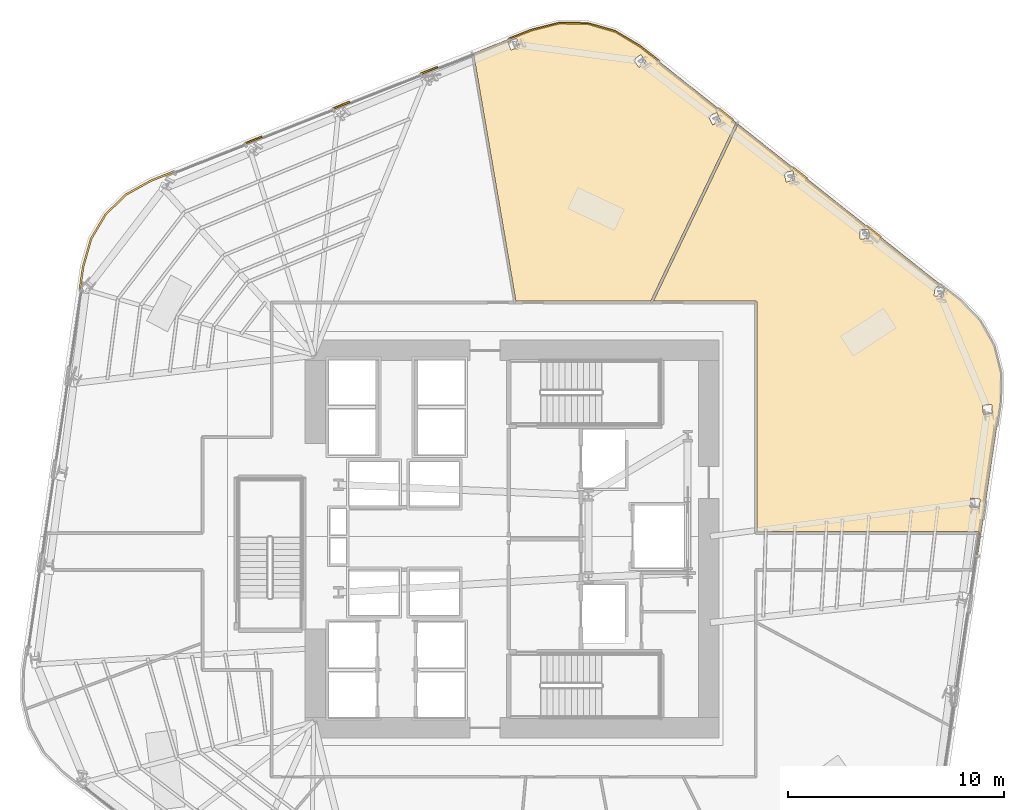
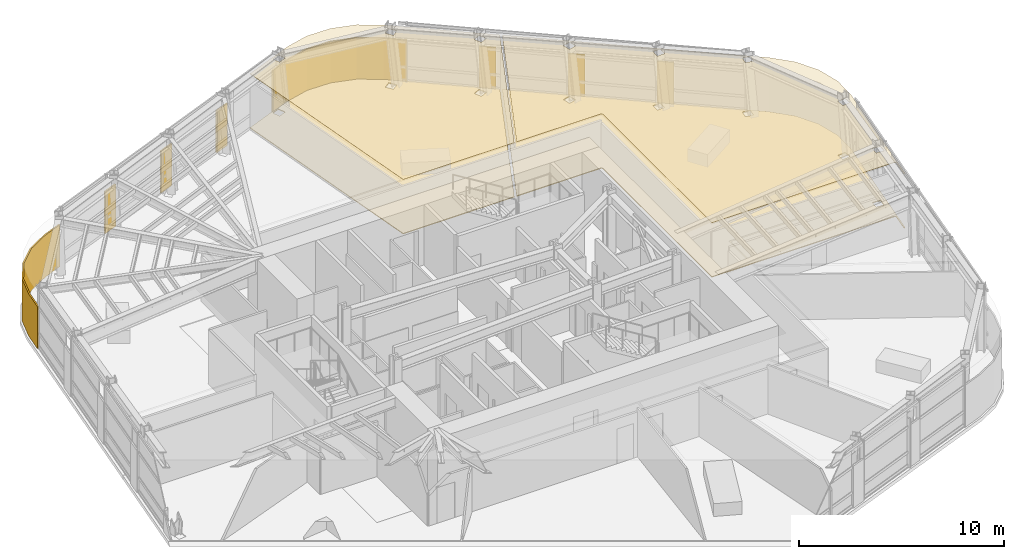
# One storey, part 16 of 17: 12 coverings.
"""IFC4 building model written with IfcOpenShell, lengths in metres."""

from ifc_helpers import new_model, si_unit, direction, frame, origin, place, context, subcontext, project, spatial, polyline, outline, extrude, material, layer, layer_set, type_object, element, save


model = new_model("IFC4")

# Units and contexts
model_context = context("Model", 3, precision=1e-05, world=origin(), true_north=direction((0.0, 1.0)))
body_context = subcontext(model_context, "Body", "Model", "MODEL_VIEW")
ifc_project = project(units=[si_unit("LENGTHUNIT", "METRE"), si_unit("AREAUNIT", "SQUARE_METRE"), si_unit("VOLUMEUNIT", "CUBIC_METRE"), si_unit("PLANEANGLEUNIT", "RADIAN"), si_unit("MASSUNIT", "GRAM", prefix="KILO")], contexts=[model_context])

# Site, building, storey
site_placement = place(None, origin())
site = spatial("IfcSite", under=ifc_project, at=site_placement, CompositionType="ELEMENT")
building_placement = place(site_placement, origin())
building = spatial("IfcBuilding", under=site, at=building_placement, Name="Valkerne Bourse Tower", CompositionType="ELEMENT")
storey_placement = place(building_placement, frame((0.0, 0.0, 116.199951171875)))
storey = spatial("IfcBuildingStorey", under=building, at=storey_placement, Name="L29", CompositionType="ELEMENT", Elevation=116.199951171875)

# Coverings
ifc_material_1 = material(Name="Mineral Fiber Acoustic Ceiling Tile", Category="acoustic")
ifc_layer_1 = layer(ifc_material_1, 0.02490234375)
ifc_layer_set_1 = layer_set([ifc_layer_1], Name="Mineral Fiber Acoustic Ceiling Tile")
covering_type_1 = type_object("IfcCoveringType", Name="COV-CEIL-ACT", PredefinedType="CEILING", material=ifc_layer_set_1)
covering_1_placement = place(storey_placement, frame((0.0, 0.0, 3.22998046875)))
element("IfcCovering", 1, at=covering_1_placement, inside=storey, type_object=covering_type_1, Name="L29 Suspended Ceiling 08", PredefinedType="CEILING", context=body_context, shape_type="SweptSolid", body=[
    extrude(outline(polyline([(50.3134765625, 50.792236328125), (51.58251953125, 50.430908203125), (52.722900390625, 49.748291015625), (57.2001953125, 46.199462890625), (53.23583984375, 37.9189453125), (46.9814453125, 37.9189453125), (45.014892578125, 49.42431640625), (47.704833984375, 50.4892578125), (48.993896484375, 50.81298828125), (50.3134765625, 50.792236328125)]), holes=[polyline([(52.775390625, 49.349609375), (52.772216796875, 49.3505859375), (52.43701171875, 49.103759765625), (52.69091796875, 48.755615234375), (52.694091796875, 48.754638671875), (53.029296875, 49.00146484375), (52.775390625, 49.349609375)]), polyline([(47.008544921875, 50.10888671875), (47.00537109375, 50.10888671875), (46.603759765625, 49.953369140625), (46.7529296875, 49.564453125), (46.75634765625, 49.564453125), (47.157958984375, 49.7197265625), (47.008544921875, 50.10888671875)]), polyline([(56.485595703125, 46.2705078125), (56.30126953125, 46.660400390625), (56.298583984375, 46.661865234375), (55.9228515625, 46.482421875), (56.10693359375, 46.0927734375), (56.10986328125, 46.09130859375), (56.485595703125, 46.2705078125)])]), origin(), (0.0, 0.0, 1.0), 0.025146484375),
])
covering_2_placement = place(storey_placement, frame((0.0, 0.0, 3.22998046875)))
element("IfcCovering", 2, at=covering_2_placement, inside=storey, type_object=covering_type_1, Name="L29 Suspended Ceiling 10", PredefinedType="CEILING", context=body_context, shape_type="SweptSolid", body=[
    extrude(outline(polyline([(69.16162109375, 35.853515625), (69.48291015625, 34.57373046875), (69.4619140625, 33.244873046875), (68.414306640625, 26.149169921875), (68.347412109375, 26.156005859375), (68.493408203125, 27.144287109375), (68.490234375, 27.17138671875), (68.47705078125, 27.195068359375), (68.434814453125, 27.21826171875), (58.1689453125, 27.218994140625), (58.1689453125, 37.850341796875), (58.16259765625, 37.879150390625), (58.135986328125, 37.908935546875), (58.1005859375, 37.9189453125), (53.36669921875, 37.9189453125), (57.295166015625, 46.124267578125), (67.5947265625, 37.9609375), (68.519775390625, 37.006591796875), (69.16162109375, 35.853515625)]), holes=[polyline([(68.514892578125, 28.732177734375), (68.5146484375, 28.7353515625), (68.083984375, 28.769775390625), (68.05029296875, 28.355712890625), (68.050537109375, 28.352783203125), (68.4814453125, 28.318359375), (68.514892578125, 28.732177734375)]), polyline([(69.0576171875, 33.116455078125), (69.056640625, 33.11962890625), (68.627197265625, 33.072509765625), (68.671875, 32.659912109375), (68.672607421875, 32.656494140625), (69.102294921875, 32.703857421875), (69.0576171875, 33.116455078125)]), polyline([(66.85791015625, 38.52783203125), (66.856201171875, 38.53076171875), (66.445068359375, 38.594482421875), (66.377197265625, 38.168701171875), (66.37890625, 38.166015625), (66.7900390625, 38.102294921875), (66.85791015625, 38.52783203125)]), polyline([(63.3623046875, 40.81494140625), (63.3486328125, 41.245849609375), (63.3466796875, 41.248291015625), (62.9306640625, 41.233642578125), (62.944091796875, 40.802734375), (62.9462890625, 40.80029296875), (63.3623046875, 40.81494140625)]), polyline([(59.828125, 43.95849609375), (59.82568359375, 43.96044921875), (59.42138671875, 43.861572265625), (59.5224609375, 43.4423828125), (59.52490234375, 43.4404296875), (59.92919921875, 43.539306640625), (59.828125, 43.95849609375)])]), origin(), (0.0, 0.0, 1.0), 0.025146484375),
])
ifc_material_2 = material(Name="Bronze Anodised Aluminium AA 6063-T6", Category="aluminium")
ifc_layer_2 = layer(ifc_material_2, 0.06005859375)
ifc_layer_set_2 = layer_set([ifc_layer_2], Name="Bronze Anodised Aluminium AA 6063-T6")
covering_type_2 = type_object("IfcCoveringType", Name="COV-CRN-ALUM", PredefinedType="CLADDING", material=ifc_layer_set_2)
covering_3_placement = place(storey_placement, origin())
element("IfcCovering", 3, at=covering_3_placement, inside=storey, type_object=covering_type_2, Name="L29 Wind-Shaped Corner Aluminium Cladding 13", PredefinedType="CLADDING", context=body_context, shape_type="SweptSolid", body=[
    extrude(outline(polyline([(26.8671875, 39.53759765625), (27.233642578125, 40.82421875), (27.9169921875, 41.96630859375), (28.873046875, 42.892578125), (30.0419921875, 43.543212890625), (31.106689453125, 43.96484375), (31.13623046875, 43.890380859375), (30.076416015625, 43.470947265625), (28.921142578125, 42.827880859375), (27.98046875, 41.916259765625), (27.3076171875, 40.7919921875), (26.9453125, 39.520751953125), (26.77880859375, 38.39306640625), (26.69970703125, 38.40478515625), (26.8671875, 39.53759765625)])), origin(), (0.0, 0.0, 1.0), 2.5),
])
covering_4_placement = place(storey_placement, origin())
element("IfcCovering", 4, at=covering_4_placement, inside=storey, type_object=covering_type_2, Name="L29 Wind-Shaped Corner Aluminium Cladding 14", PredefinedType="CLADDING", context=body_context, shape_type="SweptSolid", body=[
    extrude(outline(polyline([(35.181884765625, 45.578369140625), (35.21142578125, 45.50390625), (34.430419921875, 45.19482421875), (34.40087890625, 45.269287109375), (35.181884765625, 45.578369140625)])), origin(), (0.0, 0.0, 1.0), 2.5),
])
covering_5_placement = place(storey_placement, origin())
element("IfcCovering", 5, at=covering_5_placement, inside=storey, type_object=covering_type_2, Name="L29 Wind-Shaped Corner Aluminium Cladding 15", PredefinedType="CLADDING", context=body_context, shape_type="SweptSolid", body=[
    extrude(outline(polyline([(39.257080078125, 47.19189453125), (39.28662109375, 47.117431640625), (38.505615234375, 46.808349609375), (38.476318359375, 46.882568359375), (39.257080078125, 47.19189453125)])), origin(), (0.0, 0.0, 1.0), 2.5),
])
covering_6_placement = place(storey_placement, origin())
element("IfcCovering", 6, at=covering_6_placement, inside=storey, type_object=covering_type_2, Name="L29 Wind-Shaped Corner Aluminium Cladding 16", PredefinedType="CLADDING", context=body_context, shape_type="SweptSolid", body=[
    extrude(outline(polyline([(43.33251953125, 48.805419921875), (43.36181640625, 48.73095703125), (42.580810546875, 48.421630859375), (42.551513671875, 48.49609375), (43.33251953125, 48.805419921875)])), origin(), (0.0, 0.0, 1.0), 2.5),
])
covering_7_placement = place(storey_placement, origin())
element("IfcCovering", 7, at=covering_7_placement, inside=storey, type_object=covering_type_2, Name="L29 Wind-Shaped Corner Aluminium Cladding 17", PredefinedType="CLADDING", context=body_context, shape_type="SweptSolid", body=[
    extrude(outline(polyline([(47.69140625, 50.53125), (48.989013671875, 50.857177734375), (50.31982421875, 50.836181640625), (51.60009765625, 50.471435546875), (52.747802734375, 49.78466796875), (53.6455078125, 49.0732421875), (53.595703125, 49.010498046875), (52.702392578125, 49.718505859375), (51.568115234375, 50.3974609375), (50.30810546875, 50.75634765625), (48.998291015625, 50.777099609375), (47.716064453125, 50.454833984375), (46.656005859375, 50.03515625), (46.62646484375, 50.109619140625), (47.69140625, 50.53125)])), origin(), (0.0, 0.0, 1.0), 2.5),
])
covering_8_placement = place(storey_placement, origin())
element("IfcCovering", 8, at=covering_8_placement, inside=storey, type_object=covering_type_2, Name="L29 Wind-Shaped Corner Aluminium Cladding 18", PredefinedType="CLADDING", context=body_context, shape_type="SweptSolid", body=[
    extrude(outline(polyline([(57.080322265625, 46.3505859375), (57.030517578125, 46.2880859375), (56.372314453125, 46.809814453125), (56.422119140625, 46.87255859375), (57.080322265625, 46.3505859375)])), origin(), (0.0, 0.0, 1.0), 2.5),
])
covering_9_placement = place(storey_placement, origin())
element("IfcCovering", 9, at=covering_9_placement, inside=storey, type_object=covering_type_2, Name="L29 Wind-Shaped Corner Aluminium Cladding 19", PredefinedType="CLADDING", context=body_context, shape_type="SweptSolid", body=[
    extrude(outline(polyline([(60.515380859375, 43.628173828125), (60.465576171875, 43.5654296875), (59.807373046875, 44.08740234375), (59.85693359375, 44.14990234375), (60.515380859375, 43.628173828125)])), origin(), (0.0, 0.0, 1.0), 2.5),
])
covering_10_placement = place(storey_placement, origin())
element("IfcCovering", 10, at=covering_10_placement, inside=storey, type_object=covering_type_2, Name="L29 Wind-Shaped Corner Aluminium Cladding 20", PredefinedType="CLADDING", context=body_context, shape_type="SweptSolid", body=[
    extrude(outline(polyline([(63.9501953125, 40.90576171875), (63.900390625, 40.843017578125), (63.2421875, 41.36474609375), (63.2919921875, 41.427490234375), (63.9501953125, 40.90576171875)])), origin(), (0.0, 0.0, 1.0), 2.5),
])
ifc_material_3 = material(Name="Galvanised Painted Steel", Category="steel")
ifc_layer_3 = layer(ifc_material_3, 0.044921875)
ifc_layer_set_3 = layer_set([ifc_layer_3], Name="Galvanised Painted Steel")
covering_type_3 = type_object("IfcCoveringType", Name="COV-FLR-RAF", PredefinedType="FLOORING", material=ifc_layer_set_3)
covering_11_placement = place(storey_placement, origin())
element("IfcCovering", 11, at=covering_11_placement, inside=storey, type_object=covering_type_3, Name="L29 Floor Finish 08", PredefinedType="FLOORING", context=body_context, shape_type="SweptSolid", body=[
    extrude(outline(polyline([(50.3134765625, 50.792236328125), (51.58251953125, 50.430908203125), (52.722900390625, 49.748291015625), (57.2001953125, 46.199462890625), (53.23583984375, 37.9189453125), (46.9814453125, 37.9189453125), (45.014892578125, 49.42431640625), (47.704833984375, 50.4892578125), (48.993896484375, 50.81298828125), (50.3134765625, 50.792236328125)]), holes=[polyline([(52.775390625, 49.349609375), (52.772216796875, 49.3505859375), (52.43701171875, 49.103759765625), (52.69091796875, 48.755615234375), (52.694091796875, 48.754638671875), (53.029296875, 49.00146484375), (52.775390625, 49.349609375)]), polyline([(47.008544921875, 50.10888671875), (47.00537109375, 50.10888671875), (46.603759765625, 49.953369140625), (46.7529296875, 49.564453125), (46.75634765625, 49.564453125), (47.157958984375, 49.7197265625), (47.008544921875, 50.10888671875)]), polyline([(56.485595703125, 46.2705078125), (56.30126953125, 46.660400390625), (56.298583984375, 46.661865234375), (55.9228515625, 46.482421875), (56.10693359375, 46.0927734375), (56.10986328125, 46.09130859375), (56.485595703125, 46.2705078125)])]), origin(), (0.0, 0.0, 1.0), 0.045166015625),
])
covering_12_placement = place(storey_placement, origin())
element("IfcCovering", 12, at=covering_12_placement, inside=storey, type_object=covering_type_3, Name="L29 Floor Finish 10", PredefinedType="FLOORING", context=body_context, shape_type="SweptSolid", body=[
    extrude(outline(polyline([(69.16162109375, 35.853515625), (69.48291015625, 34.57373046875), (69.4619140625, 33.244873046875), (68.414306640625, 26.149169921875), (68.347412109375, 26.156005859375), (68.493408203125, 27.144287109375), (68.490234375, 27.17138671875), (68.47705078125, 27.195068359375), (68.434814453125, 27.21826171875), (58.1689453125, 27.218994140625), (58.1689453125, 37.850341796875), (58.16259765625, 37.879150390625), (58.135986328125, 37.908935546875), (58.1005859375, 37.9189453125), (53.36669921875, 37.9189453125), (57.295166015625, 46.124267578125), (67.5947265625, 37.9609375), (68.519775390625, 37.006591796875), (69.16162109375, 35.853515625)]), holes=[polyline([(68.514892578125, 28.732177734375), (68.5146484375, 28.7353515625), (68.083984375, 28.769775390625), (68.05029296875, 28.355712890625), (68.050537109375, 28.352783203125), (68.4814453125, 28.318359375), (68.514892578125, 28.732177734375)]), polyline([(69.0576171875, 33.116455078125), (69.056640625, 33.11962890625), (68.627197265625, 33.072509765625), (68.671875, 32.659912109375), (68.672607421875, 32.656494140625), (69.102294921875, 32.703857421875), (69.0576171875, 33.116455078125)]), polyline([(66.85791015625, 38.52783203125), (66.856201171875, 38.53076171875), (66.445068359375, 38.594482421875), (66.377197265625, 38.168701171875), (66.37890625, 38.166015625), (66.7900390625, 38.102294921875), (66.85791015625, 38.52783203125)]), polyline([(63.3623046875, 40.81494140625), (63.3486328125, 41.245849609375), (63.3466796875, 41.248291015625), (62.9306640625, 41.233642578125), (62.944091796875, 40.802734375), (62.9462890625, 40.80029296875), (63.3623046875, 40.81494140625)]), polyline([(59.828125, 43.95849609375), (59.82568359375, 43.96044921875), (59.42138671875, 43.861572265625), (59.5224609375, 43.4423828125), (59.52490234375, 43.4404296875), (59.92919921875, 43.539306640625), (59.828125, 43.95849609375)])]), origin(), (0.0, 0.0, 1.0), 0.045166015625),
])

save(model, "model.ifc")
